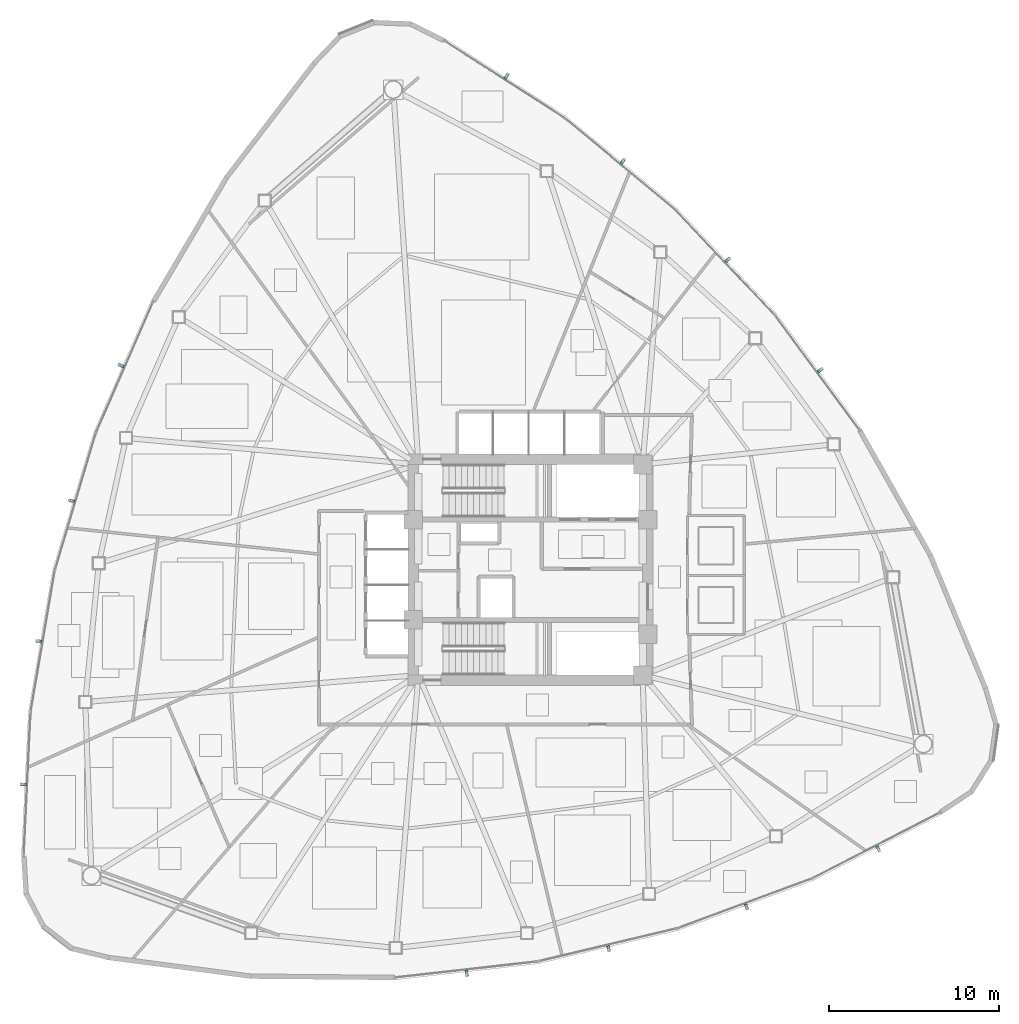
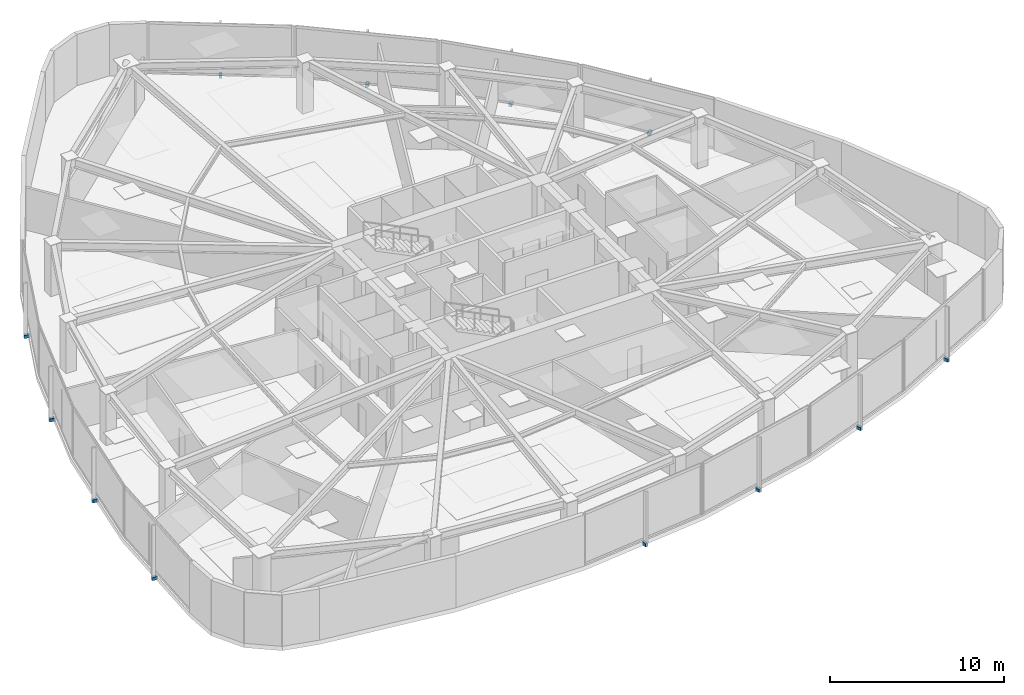
# One storey, part 13 of 17: 12 discrete accessories.
"""IFC4 building model written with IfcOpenShell, lengths in metres."""

from ifc_helpers import new_model, si_unit, direction, frame, origin, origin_2d, place, context, subcontext, project, spatial, rectangle, extrude, source, transform, mapped, material, type_object, type_shapes, element, save


model = new_model("IFC4")

# Units and contexts
model_context = context("Model", 3, precision=1e-05, world=origin(), true_north=direction((0.0, 1.0)))
body_context = subcontext(model_context, "Body", "Model", "MODEL_VIEW")
ifc_project = project(units=[si_unit("LENGTHUNIT", "METRE"), si_unit("AREAUNIT", "SQUARE_METRE"), si_unit("VOLUMEUNIT", "CUBIC_METRE"), si_unit("PLANEANGLEUNIT", "RADIAN"), si_unit("MASSUNIT", "GRAM", prefix="KILO")], contexts=[model_context])

# Site, building, storey
site_placement = place(None, origin())
site = spatial("IfcSite", under=ifc_project, at=site_placement, CompositionType="ELEMENT")
building_placement = place(site_placement, origin())
building = spatial("IfcBuilding", under=site, at=building_placement, Name="Tavelor Broadcast Tower", CompositionType="ELEMENT")
storey_placement = place(building_placement, frame((0.0, 0.0, 66.60009765625)))
storey = spatial("IfcBuildingStorey", under=building, at=storey_placement, Name="L15", CompositionType="ELEMENT", Elevation=66.60009765625)

# Discrete accessories
ifc_material = material(Name="Steel S355", Category="steel")
discrete_accessory_type = type_object("IfcDiscreteAccessoryType", Name="Stainless Baguette Outrigger Support Bracket 260x180", PredefinedType="BRACKET", material=ifc_material)
shared_shape = source(origin(), body_context, "Body", "SweptSolid", [
    extrude(rectangle(XDim=0.179931640625, YDim=0.340087890625, at=origin_2d()), origin(), (0.0, 0.0, 1.0), 0.216064453125),
])
type_shapes(discrete_accessory_type, [shared_shape])
for number, where, z_axis, x_axis, name in (
    (1, (25.91015625, 57.011474609375, -0.25830078125), (0.0, 0.0, 1.0), (-0.399869171297, -0.916572226203, 0.0), "L15 Baguette Outrigger Bracket 133"),
    (2, (22.9970703125, 49.051025390625, -0.25830078125), (0.0, 0.0, 1.0), (-0.286022867677, -0.95822279203, 0.0), "L15 Baguette Outrigger Bracket 134"),
    (3, (21.068603515625, 40.796630859375, -0.25830078125), (0.0, 0.0, 1.0), (-0.167973243363, -0.9857915548, 0.0), "L15 Baguette Outrigger Bracket 135"),
    (4, (20.1533203125, 32.369384765625, -0.25830078125), (0.0, 0.0, 1.0), (-0.047455126176, -0.998873370853, 0.0), "L15 Baguette Outrigger Bracket 136"),
    (5, (46.24267578125, 21.24951171875, -0.25830078125), (0.0, 0.0, 1.0), (0.99372894862, 0.111815815852, 0.0), "L15 Baguette Outrigger Bracket 137"),
    (6, (54.59326171875, 22.706787109375, -0.25830078125), (0.0, 0.0, 1.0), (0.972856714222, 0.231408326543, 0.0), "L15 Baguette Outrigger Bracket 138"),
    (7, (62.7060546875, 25.1640625, -0.25830078125), (0.0, 0.0, 1.0), (0.937707150974, 0.347426681491, 0.0), "L15 Baguette Outrigger Bracket 139"),
    (8, (70.4619140625, 28.5849609375, -0.25830078125), (0.0, 0.0, 1.0), (0.888777277411, 0.458339340618, 0.0), "L15 Baguette Outrigger Bracket 140"),
    (9, (67.047119140625, 56.739013671875, -0.25830078125), (0.0, 0.0, 1.0), (-0.593699811383, 0.804686606055, 0.0), "L15 Baguette Outrigger Bracket 141"),
    (10, (61.60986328125, 63.2421875, -0.25830078125), (0.0, 0.0, 1.0), (-0.686833846544, 0.726814465487, 0.0), "L15 Baguette Outrigger Bracket 142"),
    (11, (55.425537109375, 69.039306640625, -0.25830078125), (0.0, 0.0, 1.0), (-0.769733907611, 0.638364873308, 0.0), "L15 Baguette Outrigger Bracket 143"),
    (12, (48.5849609375, 74.045654296875, -0.25830078125), (0.0, 0.0, 1.0), (-0.841322151234, 0.540534030235, 0.0), "L15 Baguette Outrigger Bracket 144"),
):
    element("IfcDiscreteAccessory", number, at=place(storey_placement, frame(where, z_axis=z_axis, x_axis=x_axis)), inside=storey, type_object=discrete_accessory_type, Name=name, PredefinedType="BRACKET", context=body_context, shape_type="MappedRepresentation", body=[
        mapped(shared_shape, transform((0.0, 0.0, 0.0), scale=1.0)),
    ])

save(model, "model.ifc")
